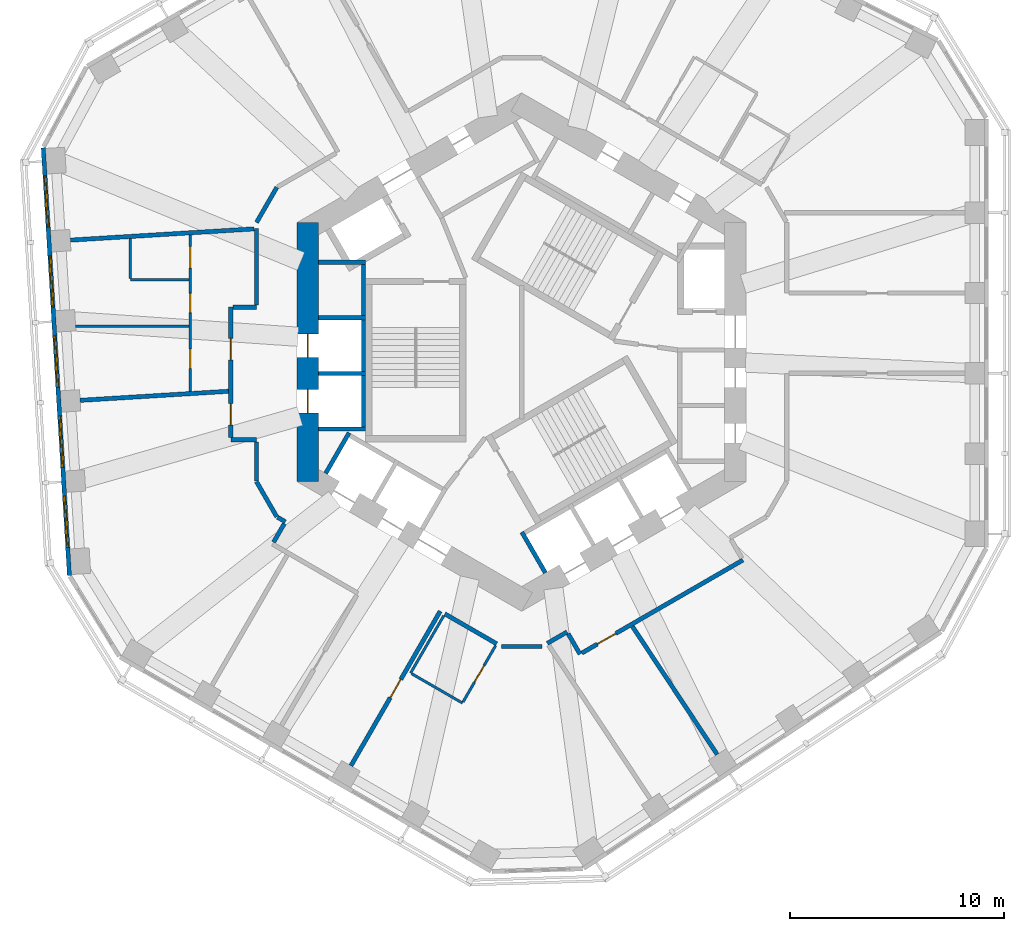
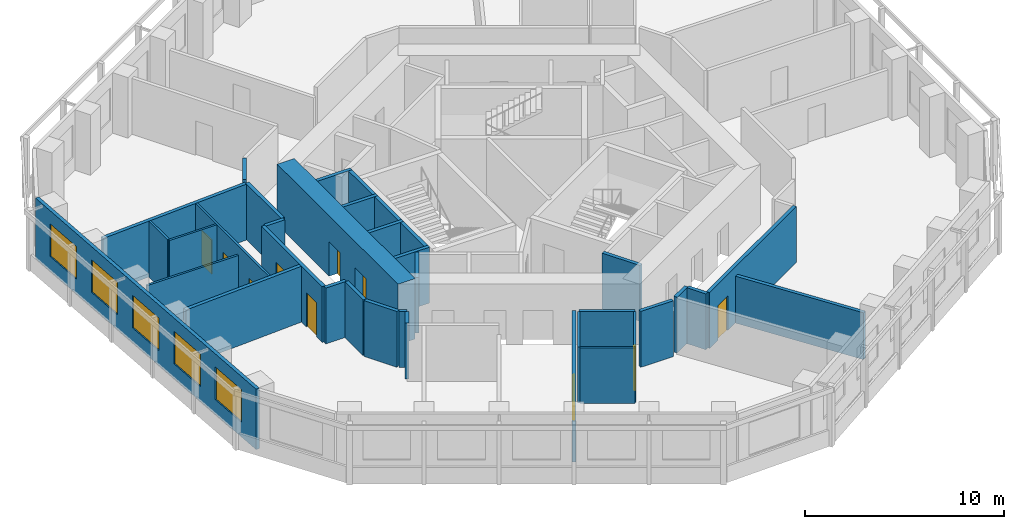
# One storey, part 4 of 10: 34 walls, 10 doors, 5 windows, 15 openings.
"""IFC4 building model written with IfcOpenShell, lengths in metres."""

from ifc_helpers import new_model, si_unit, direction, frame, frame_2d, origin, place, context, subcontext, project, spatial, rectangle, extrude, material, layer, layer_set, type_object, element, fill, save


model = new_model("IFC4")

# Units and contexts
model_context = context("Model", 3, precision=1e-05, world=origin(), true_north=direction((0.0, 1.0)))
body_context = subcontext(model_context, "Body", "Model", "MODEL_VIEW")
ifc_project = project(units=[si_unit("LENGTHUNIT", "METRE"), si_unit("AREAUNIT", "SQUARE_METRE"), si_unit("VOLUMEUNIT", "CUBIC_METRE"), si_unit("PLANEANGLEUNIT", "RADIAN"), si_unit("MASSUNIT", "GRAM", prefix="KILO")], contexts=[model_context])

# Site, building, storey
site_placement = place(None, origin())
site = spatial("IfcSite", under=ifc_project, at=site_placement, CompositionType="ELEMENT")
building_placement = place(site_placement, origin())
building = spatial("IfcBuilding", under=site, at=building_placement, Name="Vanh Sen Convention Tower", CompositionType="ELEMENT")
storey_placement = place(building_placement, frame((0.0, 0.0, 157.699951171875)))
storey = spatial("IfcBuildingStorey", under=building, at=storey_placement, Name="L38", CompositionType="ELEMENT", Elevation=157.699951171875)

# Walls
ifc_material_1 = material(Name="Moisture-resistant gypsum board on steel studs", Category="steel")
ifc_layer_1 = layer(ifc_material_1, 0.1201171875)
ifc_layer_set_1 = layer_set([ifc_layer_1], Name="Moisture-resistant gypsum board on steel studs")
wall_type_1 = type_object("IfcWallType", Name="Bathroom partition 120", PredefinedType="PARTITIONING", material=ifc_layer_set_1)
wall_1_placement = place(storey_placement, frame((-20.86279296875, 1.208251953125, 0.0), z_axis=(0.0, 0.0, 1.0), x_axis=(1.0, 0.0, 0.0)))
element("IfcWall", 1, at=wall_1_placement, inside=storey, type_object=wall_type_1, Name="Bathroom partition 120", PredefinedType="PARTITIONING", context=body_context, shape_type="SweptSolid", body=[
    extrude(rectangle(XDim=5.3017578125, YDim=0.1201171875, at=frame_2d((2.65087890625, 0.0))), origin(), (0.0, 0.0, 1.0), 2.8701171875),
])
wall_2_placement = place(storey_placement, frame((-18.301025390625, 3.379638671875, 0.0), z_axis=(0.0, 0.0, 1.0), x_axis=(1.0, 0.0, 0.0)))
element("IfcWall", 2, at=wall_2_placement, inside=storey, type_object=wall_type_1, Name="Bathroom partition 120", PredefinedType="PARTITIONING", context=body_context, shape_type="SweptSolid", body=[
    extrude(rectangle(XDim=2.739990234375, YDim=0.1201171875, at=frame_2d((1.3701171875, 0.0))), origin(), (0.0, 0.0, 1.0), 3.420166015625),
])
wall_3_placement = place(storey_placement, frame((-18.301025390625, 5.308349609375, 0.0), z_axis=(0.0, 0.0, 1.0), x_axis=(0.0, -1.0, 0.0)))
element("IfcWall", 3, at=wall_3_placement, inside=storey, type_object=wall_type_1, Name="Bathroom partition 120", PredefinedType="PARTITIONING", context=body_context, shape_type="SweptSolid", body=[
    extrude(rectangle(XDim=1.86865234375, YDim=0.1201171875, at=frame_2d((0.934326171875, 0.0))), origin(), (0.0, 0.0, 1.0), 3.420166015625),
])

# Wall, openings, doors
wall_4_placement = place(storey_placement, frame((-15.5009765625, 5.4794921875, 0.0), z_axis=(0.0, 0.0, 1.0), x_axis=(0.0, -1.0, 0.0)))
wall_4 = element("IfcWall", 4, at=wall_4_placement, inside=storey, type_object=wall_type_1, Name="Bathroom partition 120", PredefinedType="PARTITIONING", context=body_context, shape_type="SweptSolid", body=[
    extrude(rectangle(XDim=7.322265625, YDim=0.1201171875, at=frame_2d((3.6611328125, 0.0))), origin(), (0.0, 0.0, 1.0), 3.420166015625),
])
opening_1_placement = place(wall_4_placement, frame((0.550048828125, 0.0, 0.0)))
opening_1 = element("IfcOpeningElement", 5, at=opening_1_placement, cuts=wall_4, Name="Opening D38108", PredefinedType="OPENING", context=body_context, shape_type="SweptSolid", body=[
    extrude(rectangle(XDim=1.0, YDim=2.10009765625, at=frame_2d((0.5, 1.050048828125))), frame((0.0, 0.070068359375, 0.0), z_axis=(0.0, -1.0, 0.0), x_axis=(1.0, 0.0, 0.0)), (0.0, 0.0, 1.0), 0.14013671875),
])
opening_2_placement = place(wall_4_placement, frame((2.735595703125, 0.0, 0.0)))
opening_2 = element("IfcOpeningElement", 6, at=opening_2_placement, cuts=wall_4, Name="Opening D38109", PredefinedType="OPENING", context=body_context, shape_type="SweptSolid", body=[
    extrude(rectangle(XDim=0.89990234375, YDim=2.10009765625, at=frame_2d((0.449951171875, 1.050048828125))), frame((0.0, 0.070068359375, 0.0), z_axis=(0.0, -1.0, 0.0), x_axis=(1.0, 0.0, 0.0)), (0.0, 0.0, 1.0), 0.14013671875),
])
opening_3_placement = place(wall_4_placement, frame((5.3466796875, 0.0, 0.0)))
opening_3 = element("IfcOpeningElement", 7, at=opening_3_placement, cuts=wall_4, Name="Opening D38110", PredefinedType="OPENING", context=body_context, shape_type="SweptSolid", body=[
    extrude(rectangle(XDim=0.89990234375, YDim=2.10009765625, at=frame_2d((0.449951171875, 1.050048828125))), frame((0.0, 0.070068359375, 0.0), z_axis=(0.0, -1.0, 0.0), x_axis=(1.0, 0.0, 0.0)), (0.0, 0.0, 1.0), 0.14013671875),
])
ifc_material_2 = material(Name="Laminate door in steel frame", Category="steel")
door_type_1 = type_object("IfcDoorType", Name="Accessible WC door 1000", OperationType="SINGLE_SWING_LEFT", PredefinedType="DOOR", material=ifc_material_2)
door_1_placement = place(opening_1_placement, origin())
door_1 = element("IfcDoor", 8, at=door_1_placement, inside=storey, type_object=door_type_1, Name="Accessible WC door D38108", OperationType="SINGLE_SWING_LEFT", OverallHeight=2.10009765625, OverallWidth=1.0, PredefinedType="DOOR", context=body_context, shape_type="SweptSolid", body=[
    extrude(rectangle(XDim=1.0, YDim=2.10009765625, at=frame_2d((0.5, 1.050048828125))), frame((0.0, 0.02490234375, 0.0), z_axis=(0.0, -1.0, 0.0), x_axis=(1.0, 0.0, 0.0)), (0.0, 0.0, 1.0), 0.050048828125),
])
fill(opening_1, door_1)
door_type_2 = type_object("IfcDoorType", Name="Room internal door 900", OperationType="SINGLE_SWING_LEFT", PredefinedType="DOOR", material=ifc_material_2)
door_2_placement = place(opening_2_placement, origin())
door_2 = element("IfcDoor", 9, at=door_2_placement, inside=storey, type_object=door_type_2, Name="Internal room door D38109", OperationType="SINGLE_SWING_LEFT", OverallHeight=2.10009765625, OverallWidth=0.89990234375, PredefinedType="DOOR", context=body_context, shape_type="SweptSolid", body=[
    extrude(rectangle(XDim=0.89990234375, YDim=2.10009765625, at=frame_2d((0.449951171875, 1.050048828125))), frame((0.0, 0.02490234375, 0.0), z_axis=(0.0, -1.0, 0.0), x_axis=(1.0, 0.0, 0.0)), (0.0, 0.0, 1.0), 0.050048828125),
])
fill(opening_2, door_2)
door_3_placement = place(opening_3_placement, origin())
door_3 = element("IfcDoor", 10, at=door_3_placement, inside=storey, type_object=door_type_2, Name="Internal room door D38110", OperationType="SINGLE_SWING_LEFT", OverallHeight=2.10009765625, OverallWidth=0.89990234375, PredefinedType="DOOR", context=body_context, shape_type="SweptSolid", body=[
    extrude(rectangle(XDim=0.89990234375, YDim=2.10009765625, at=frame_2d((0.449951171875, 1.050048828125))), frame((0.0, 0.02490234375, 0.0), z_axis=(0.0, -1.0, 0.0), x_axis=(1.0, 0.0, 0.0)), (0.0, 0.0, 1.0), 0.050048828125),
])
fill(opening_3, door_3)

# Walls
wall_5_placement = place(storey_placement, frame((-5.192138671875, -15.015625, 0.0), z_axis=(0.0, 0.0, 1.0), x_axis=(0.500026960575, 0.86600983753, 0.0)))
element("IfcWall", 11, at=wall_5_placement, inside=storey, type_object=wall_type_1, Name="Bathroom partition 120", PredefinedType="PARTITIONING", context=body_context, shape_type="SweptSolid", body=[
    extrude(rectangle(XDim=3.099853515625, YDim=0.1201171875, at=frame_2d((1.5498046875, 0.0))), origin(), (0.0, 0.0, 1.0), 3.420166015625),
])
wall_6_placement = place(storey_placement, frame((-2.767333984375, -16.415771484375, 0.0), z_axis=(0.0, 0.0, 1.0), x_axis=(-0.865997131366, 0.500048966069, 0.0)))
element("IfcWall", 12, at=wall_6_placement, inside=storey, type_object=wall_type_1, Name="Bathroom partition 120", PredefinedType="PARTITIONING", context=body_context, shape_type="SweptSolid", body=[
    extrude(rectangle(XDim=2.739990234375, YDim=0.1201171875, at=frame_2d((1.3701171875, 0.0))), origin(), (0.0, 0.0, 1.0), 3.420166015625),
])

# Wall, opening, door
wall_7_placement = place(storey_placement, frame((-1.21728515625, -13.73095703125, 0.0), z_axis=(0.0, 0.0, 1.0), x_axis=(-0.499991248344, -0.866030456496, 0.0)))
wall_7 = element("IfcWall", 13, at=wall_7_placement, inside=storey, type_object=wall_type_1, Name="Bathroom partition 120", PredefinedType="PARTITIONING", context=body_context, shape_type="SweptSolid", body=[
    extrude(rectangle(XDim=3.0400390625, YDim=0.1201171875, at=frame_2d((1.52001953125, 0.0))), origin(), (0.0, 0.0, 1.0), 3.420166015625),
])
opening_4_placement = place(wall_7_placement, frame((1.070068359375, 0.0, 0.0)))
opening_4 = element("IfcOpeningElement", 14, at=opening_4_placement, cuts=wall_7, Name="Opening D38114", PredefinedType="OPENING", context=body_context, shape_type="SweptSolid", body=[
    extrude(rectangle(XDim=0.89990234375, YDim=2.10009765625, at=frame_2d((0.449951171875, 1.050048828125))), frame((0.0, 0.070068359375, 0.0), z_axis=(0.0, -1.0, 0.0), x_axis=(1.0, 0.0, 0.0)), (0.0, 0.0, 1.0), 0.14013671875),
])
door_4_placement = place(opening_4_placement, origin())
door_4 = element("IfcDoor", 15, at=door_4_placement, inside=storey, type_object=door_type_2, Name="Internal room door D38114", OperationType="SINGLE_SWING_LEFT", OverallHeight=2.10009765625, OverallWidth=0.89990234375, PredefinedType="DOOR", context=body_context, shape_type="SweptSolid", body=[
    extrude(rectangle(XDim=0.89990234375, YDim=2.10009765625, at=frame_2d((0.449951171875, 1.050048828125))), frame((0.0, 0.02490234375, 0.0), z_axis=(0.0, -1.0, 0.0), x_axis=(1.0, 0.0, 0.0)), (0.0, 0.0, 1.0), 0.050048828125),
])
fill(opening_4, door_4)

# Wall, openings, doors
ifc_material_3 = material(Name="Concrete C80/95", Category="concrete")
ifc_layer_2 = layer(ifc_material_3, 1.0)
ifc_layer_set_2 = layer_set([ifc_layer_2], Name="Concrete C80/95")
wall_type_2 = type_object("IfcWallType", Name="Core outer wall 1000 C80/95", PredefinedType="SHEAR", material=ifc_layer_set_2)
wall_8_placement = place(storey_placement, frame((-10.0, 6.062255859375, 0.0), z_axis=(0.0, 0.0, 1.0), x_axis=(0.0, -1.0, 0.0)))
wall_8 = element("IfcWall", 16, at=wall_8_placement, inside=storey, type_object=wall_type_2, Name="Core wall face W L38", PredefinedType="SHEAR", context=body_context, shape_type="SweptSolid", body=[
    extrude(rectangle(XDim=12.12451171875, YDim=1.0, at=frame_2d((6.062255859375, 0.0))), origin(), (0.0, 0.0, 1.0), 3.699951171875),
])
opening_5_placement = place(wall_8_placement, frame((5.212158203125, 0.0, 0.0)))
opening_5 = element("IfcOpeningElement", 17, at=opening_5_placement, cuts=wall_8, Name="Opening LD-HR1", PredefinedType="OPENING", context=body_context, shape_type="SweptSolid", body=[
    extrude(rectangle(XDim=1.10009765625, YDim=2.10009765625, at=frame_2d((0.550048828125, 1.050048828125))), frame((0.0, 0.510009765625, 0.0), z_axis=(0.0, -1.0, 0.0), x_axis=(1.0, 0.0, 0.0)), (0.0, 0.0, 1.0), 1.02001953125),
])
opening_6_placement = place(wall_8_placement, frame((7.812255859375, 0.0, 0.0)))
opening_6 = element("IfcOpeningElement", 18, at=opening_6_placement, cuts=wall_8, Name="Opening LD-HR2", PredefinedType="OPENING", context=body_context, shape_type="SweptSolid", body=[
    extrude(rectangle(XDim=1.10009765625, YDim=2.10009765625, at=frame_2d((0.550048828125, 1.050048828125))), frame((0.0, 0.510009765625, 0.0), z_axis=(0.0, -1.0, 0.0), x_axis=(1.0, 0.0, 0.0)), (0.0, 0.0, 1.0), 1.02001953125),
])
ifc_material_4 = material(Name="Stainless steel", Category="steel")
door_type_3 = type_object("IfcDoorType", Name="Lift landing door 1100", OperationType="DOUBLE_DOOR_SLIDING", PredefinedType="DOOR", material=ifc_material_4)
door_5_placement = place(opening_5_placement, origin())
door_5 = element("IfcDoor", 19, at=door_5_placement, inside=storey, type_object=door_type_3, Name="Lift HR1 landing door LD-HR1", OperationType="DOUBLE_DOOR_SLIDING", OverallHeight=2.10009765625, OverallWidth=1.10009765625, PredefinedType="DOOR", context=body_context, shape_type="SweptSolid", body=[
    extrude(rectangle(XDim=1.10009765625, YDim=2.10009765625, at=frame_2d((0.550048828125, 1.050048828125))), frame((0.0, 0.02490234375, 0.0), z_axis=(0.0, -1.0, 0.0), x_axis=(1.0, 0.0, 0.0)), (0.0, 0.0, 1.0), 0.050048828125),
])
fill(opening_5, door_5)
door_6_placement = place(opening_6_placement, origin())
door_6 = element("IfcDoor", 20, at=door_6_placement, inside=storey, type_object=door_type_3, Name="Lift HR2 landing door LD-HR2", OperationType="DOUBLE_DOOR_SLIDING", OverallHeight=2.10009765625, OverallWidth=1.10009765625, PredefinedType="DOOR", context=body_context, shape_type="SweptSolid", body=[
    extrude(rectangle(XDim=1.10009765625, YDim=2.10009765625, at=frame_2d((0.550048828125, 1.050048828125))), frame((0.0, 0.02490234375, 0.0), z_axis=(0.0, -1.0, 0.0), x_axis=(1.0, 0.0, 0.0)), (0.0, 0.0, 1.0), 0.050048828125),
])
fill(opening_6, door_6)

# Wall
ifc_material_5 = material(Name="Gypsum board on steel studs with mineral wool", Category="steel")
ifc_layer_3 = layer(ifc_material_5, 0.199951171875)
ifc_layer_set_3 = layer_set([ifc_layer_3], Name="Gypsum board on steel studs with mineral wool")
wall_type_3 = type_object("IfcWallType", Name="Corridor partition wall 200", PredefinedType="PARTITIONING", material=ifc_layer_set_3)
wall_9_placement = place(storey_placement, frame((-13.60107421875, -4.10107421875, 0.0), z_axis=(0.0, 0.0, 1.0), x_axis=(1.0, 0.0, 0.0)))
element("IfcWall", 21, at=wall_9_placement, inside=storey, type_object=wall_type_3, Name="Corridor partition wall 200", PredefinedType="PARTITIONING", context=body_context, shape_type="SweptSolid", body=[
    extrude(rectangle(XDim=1.201171875, YDim=0.199951171875, at=frame_2d((0.6005859375, 0.0))), origin(), (0.0, 0.0, 1.0), 3.420166015625),
])

# Wall, openings, doors
wall_10_placement = place(storey_placement, frame((-13.60107421875, 2.10107421875, 0.0), z_axis=(0.0, 0.0, 1.0), x_axis=(0.0, -1.0, 0.0)))
wall_10 = element("IfcWall", 22, at=wall_10_placement, inside=storey, type_object=wall_type_3, Name="Corridor partition wall 200", PredefinedType="PARTITIONING", context=body_context, shape_type="SweptSolid", body=[
    extrude(rectangle(XDim=6.10205078125, YDim=0.199951171875, at=frame_2d((3.051025390625, 0.0))), origin(), (0.0, 0.0, 1.0), 3.420166015625),
])
opening_7_placement = place(wall_10_placement, frame((1.4638671875, 0.0, 0.0)))
opening_7 = element("IfcOpeningElement", 23, at=opening_7_placement, cuts=wall_10, Name="Opening D38107", PredefinedType="OPENING", context=body_context, shape_type="SweptSolid", body=[
    extrude(rectangle(XDim=1.0, YDim=2.10009765625, at=frame_2d((0.5, 1.050048828125))), frame((0.0, 0.10986328125, 0.0), z_axis=(0.0, -1.0, 0.0), x_axis=(1.0, 0.0, 0.0)), (0.0, 0.0, 1.0), 0.219970703125),
])
opening_8_placement = place(wall_10_placement, frame((4.514892578125, 0.0, 0.0)))
opening_8 = element("IfcOpeningElement", 24, at=opening_8_placement, cuts=wall_10, Name="Opening D38111", PredefinedType="OPENING", context=body_context, shape_type="SweptSolid", body=[
    extrude(rectangle(XDim=1.0, YDim=2.10009765625, at=frame_2d((0.5, 1.050048828125))), frame((0.0, 0.10986328125, 0.0), z_axis=(0.0, -1.0, 0.0), x_axis=(1.0, 0.0, 0.0)), (0.0, 0.0, 1.0), 0.219970703125),
])
ifc_material_6 = material(Name="Timber fire door in steel frame", Category="steel")
door_type_4 = type_object("IfcDoorType", Name="Floor room door 1000", OperationType="SINGLE_SWING_LEFT", PredefinedType="DOOR", material=ifc_material_6)
door_7_placement = place(opening_7_placement, origin())
door_7 = element("IfcDoor", 25, at=door_7_placement, inside=storey, type_object=door_type_4, Name="Meeting and amenity room door D38107", OperationType="SINGLE_SWING_LEFT", OverallHeight=2.10009765625, OverallWidth=1.0, PredefinedType="DOOR", context=body_context, shape_type="SweptSolid", body=[
    extrude(rectangle(XDim=1.0, YDim=2.10009765625, at=frame_2d((0.5, 1.050048828125))), frame((0.0, 0.02490234375, 0.0), z_axis=(0.0, -1.0, 0.0), x_axis=(1.0, 0.0, 0.0)), (0.0, 0.0, 1.0), 0.050048828125),
])
fill(opening_7, door_7)
ifc_material_7 = material(Name="Glazed fire door in steel frame", Category="steel")
door_type_5 = type_object("IfcDoorType", Name="Tenant entrance door 1000", OperationType="SINGLE_SWING_LEFT", PredefinedType="DOOR", material=ifc_material_7)
door_8_placement = place(opening_8_placement, origin())
door_8 = element("IfcDoor", 26, at=door_8_placement, inside=storey, type_object=door_type_5, Name="Tenant suite entrance door D38111", OperationType="SINGLE_SWING_LEFT", OverallHeight=2.10009765625, OverallWidth=1.0, PredefinedType="DOOR", context=body_context, shape_type="SweptSolid", body=[
    extrude(rectangle(XDim=1.0, YDim=2.10009765625, at=frame_2d((0.5, 1.050048828125))), frame((0.0, 0.02490234375, 0.0), z_axis=(0.0, -1.0, 0.0), x_axis=(1.0, 0.0, 0.0)), (0.0, 0.0, 1.0), 0.050048828125),
])
fill(opening_8, door_8)

# Walls
wall_11_placement = place(storey_placement, frame((-12.39990234375, -6.062255859375, 0.0), z_axis=(0.0, 0.0, 1.0), x_axis=(0.500022797313, -0.86601224135, 0.0)))
element("IfcWall", 27, at=wall_11_placement, inside=storey, type_object=wall_type_3, Name="Corridor partition wall 200", PredefinedType="PARTITIONING", context=body_context, shape_type="SweptSolid", body=[
    extrude(rectangle(XDim=1.89990234375, YDim=0.199951171875, at=frame_2d((0.949951171875, 0.0))), origin(), (0.0, 0.0, 1.0), 3.420166015625),
])
wall_12_placement = place(storey_placement, frame((-12.39990234375, -4.200927734375, 0.0), z_axis=(0.0, 0.0, 1.0), x_axis=(0.0, -1.0, 0.0)))
element("IfcWall", 28, at=wall_12_placement, inside=storey, type_object=wall_type_3, Name="Corridor partition wall 200", PredefinedType="PARTITIONING", context=body_context, shape_type="SweptSolid", body=[
    extrude(rectangle(XDim=1.8212890625, YDim=0.199951171875, at=frame_2d((0.91064453125, 0.0))), origin(), (0.0, 0.0, 1.0), 3.420166015625),
])
wall_13_placement = place(storey_placement, frame((-12.39990234375, 2.10107421875, 0.0), z_axis=(0.0, 0.0, 1.0), x_axis=(-1.0, 0.0, 0.0)))
element("IfcWall", 29, at=wall_13_placement, inside=storey, type_object=wall_type_3, Name="Corridor partition wall 200", PredefinedType="PARTITIONING", context=body_context, shape_type="SweptSolid", body=[
    extrude(rectangle(XDim=1.10107421875, YDim=0.199951171875, at=frame_2d((0.550537109375, 0.0))), origin(), (0.0, 0.0, 1.0), 3.420166015625),
])
wall_14_placement = place(storey_placement, frame((-12.39990234375, 5.769287109375, 0.0), z_axis=(0.0, 0.0, 1.0), x_axis=(0.0, -1.0, 0.0)))
element("IfcWall", 30, at=wall_14_placement, inside=storey, type_object=wall_type_3, Name="Corridor partition wall 200", PredefinedType="PARTITIONING", context=body_context, shape_type="SweptSolid", body=[
    extrude(rectangle(XDim=3.568359375, YDim=0.199951171875, at=frame_2d((1.7841796875, 0.0))), origin(), (0.0, 0.0, 1.0), 3.420166015625),
])
wall_15_placement = place(storey_placement, frame((-11.449951171875, 7.70751953125, 0.0), z_axis=(0.0, 0.0, 1.0), x_axis=(-0.500022797313, -0.86601224135, 0.0)))
element("IfcWall", 31, at=wall_15_placement, inside=storey, type_object=wall_type_3, Name="Corridor partition wall 200", PredefinedType="PARTITIONING", context=body_context, shape_type="SweptSolid", body=[
    extrude(rectangle(XDim=1.89990234375, YDim=0.199951171875, at=frame_2d((0.949951171875, 0.0))), origin(), (0.0, 0.0, 1.0), 3.420166015625),
])
wall_16_placement = place(storey_placement, frame((-11.415283203125, -7.7275390625, 0.0), z_axis=(0.0, 0.0, 1.0), x_axis=(0.865915281873, -0.500190688257, 0.0)))
element("IfcWall", 32, at=wall_16_placement, inside=storey, type_object=wall_type_3, Name="Corridor partition wall 200", PredefinedType="PARTITIONING", context=body_context, shape_type="SweptSolid", body=[
    extrude(rectangle(XDim=0.421142578125, YDim=0.199951171875, at=frame_2d((0.21044921875, 0.0))), origin(), (0.0, 0.0, 1.0), 3.420166015625),
])
wall_17_placement = place(storey_placement, frame((-11.1005859375, -8.02490234375, 0.0), z_axis=(0.0, 0.0, 1.0), x_axis=(-0.500074377092, -0.865982457891, 0.0)))
element("IfcWall", 33, at=wall_17_placement, inside=storey, type_object=wall_type_3, Name="Corridor partition wall 200", PredefinedType="PARTITIONING", context=body_context, shape_type="SweptSolid", body=[
    extrude(rectangle(XDim=1.000732421875, YDim=0.199951171875, at=frame_2d((0.50048828125, 0.0))), origin(), (0.0, 0.0, 1.0), 3.420166015625),
])

# Wall, opening, door
wall_18_placement = place(storey_placement, frame((-7.983642578125, -19.3505859375, 0.0), z_axis=(0.0, 0.0, 1.0), x_axis=(0.500010139422, 0.866019549707, 0.0)))
wall_18 = element("IfcWall", 34, at=wall_18_placement, inside=storey, type_object=wall_type_3, Name="Corridor partition wall 200", PredefinedType="PARTITIONING", context=body_context, shape_type="SweptSolid", body=[
    extrude(rectangle(XDim=8.349853515625, YDim=0.199951171875, at=frame_2d((4.1748046875, 0.0))), origin(), (0.0, 0.0, 1.0), 3.420166015625),
])
opening_9_placement = place(wall_18_placement, frame((3.675048828125, 0.0, 0.0)))
opening_9 = element("IfcOpeningElement", 35, at=opening_9_placement, cuts=wall_18, Name="Opening D38113", PredefinedType="OPENING", context=body_context, shape_type="SweptSolid", body=[
    extrude(rectangle(XDim=1.0, YDim=2.10009765625, at=frame_2d((0.5, 1.050048828125))), frame((0.0, 0.10986328125, 0.0), z_axis=(0.0, -1.0, 0.0), x_axis=(1.0, 0.0, 0.0)), (0.0, 0.0, 1.0), 0.219970703125),
])
door_9_placement = place(opening_9_placement, origin())
door_9 = element("IfcDoor", 36, at=door_9_placement, inside=storey, type_object=door_type_5, Name="Tenant suite entrance door D38113", OperationType="SINGLE_SWING_LEFT", OverallHeight=2.10009765625, OverallWidth=1.0, PredefinedType="DOOR", context=body_context, shape_type="SweptSolid", body=[
    extrude(rectangle(XDim=1.0, YDim=2.10009765625, at=frame_2d((0.5, 1.050048828125))), frame((0.0, 0.02490234375, 0.0), z_axis=(0.0, -1.0, 0.0), x_axis=(1.0, 0.0, 0.0)), (0.0, 0.0, 1.0), 0.050048828125),
])
fill(opening_9, door_9)

# Walls
wall_19_placement = place(storey_placement, frame((-3.592041015625, -12.244384765625, 0.0), z_axis=(0.0, 0.0, 1.0), x_axis=(0.866034573852, -0.49998411664, 0.0)))
element("IfcWall", 37, at=wall_19_placement, inside=storey, type_object=wall_type_3, Name="Corridor partition wall 200", PredefinedType="PARTITIONING", context=body_context, shape_type="SweptSolid", body=[
    extrude(rectangle(XDim=2.7998046875, YDim=0.199951171875, at=frame_2d((1.39990234375, 0.0))), origin(), (0.0, 0.0, 1.0), 3.420166015625),
])
wall_20_placement = place(storey_placement, frame((-0.949951171875, -13.769775390625, 0.0), z_axis=(0.0, 0.0, 1.0), x_axis=(1.0, 0.0, 0.0)))
element("IfcWall", 38, at=wall_20_placement, inside=storey, type_object=wall_type_3, Name="Corridor partition wall 200", PredefinedType="PARTITIONING", context=body_context, shape_type="SweptSolid", body=[
    extrude(rectangle(XDim=1.89990234375, YDim=0.199951171875, at=frame_2d((0.949951171875, 0.0))), origin(), (0.0, 0.0, 1.0), 3.420166015625),
])
wall_21_placement = place(storey_placement, frame((1.20361328125, -13.623291015625, 0.0), z_axis=(0.0, 0.0, 1.0), x_axis=(0.866040989419, 0.499973003918, 0.0)))
element("IfcWall", 39, at=wall_21_placement, inside=storey, type_object=wall_type_3, Name="Corridor partition wall 200", PredefinedType="PARTITIONING", context=body_context, shape_type="SweptSolid", body=[
    extrude(rectangle(XDim=1.068359375, YDim=0.199951171875, at=frame_2d((0.5341796875, 0.0))), origin(), (0.0, 0.0, 1.0), 3.420166015625),
])
wall_22_placement = place(storey_placement, frame((2.1787109375, -13.17578125, 0.0), z_axis=(0.0, 0.0, 1.0), x_axis=(0.499978356969, -0.866037899034, 0.0)))
element("IfcWall", 40, at=wall_22_placement, inside=storey, type_object=wall_type_3, Name="Corridor partition wall 200", PredefinedType="PARTITIONING", context=body_context, shape_type="SweptSolid", body=[
    extrude(rectangle(XDim=1.10107421875, YDim=0.199951171875, at=frame_2d((0.550537109375, 0.0))), origin(), (0.0, 0.0, 1.0), 3.420166015625),
])

# Wall, opening, door
wall_23_placement = place(storey_placement, frame((2.81591796875, -14.079345703125, 0.0), z_axis=(0.0, 0.0, 1.0), x_axis=(0.866021128829, 0.500007404367, 0.0)))
wall_23 = element("IfcWall", 41, at=wall_23_placement, inside=storey, type_object=wall_type_3, Name="Corridor partition wall 200", PredefinedType="PARTITIONING", context=body_context, shape_type="SweptSolid", body=[
    extrude(rectangle(XDim=8.701904296875, YDim=0.199951171875, at=frame_2d((4.35107421875, 0.0))), origin(), (0.0, 0.0, 1.0), 3.420166015625),
])
opening_10_placement = place(wall_23_placement, frame((0.833251953125, 0.0, 0.0)))
opening_10 = element("IfcOpeningElement", 42, at=opening_10_placement, cuts=wall_23, Name="Opening D38115", PredefinedType="OPENING", context=body_context, shape_type="SweptSolid", body=[
    extrude(rectangle(XDim=1.0, YDim=2.10009765625, at=frame_2d((0.5, 1.050048828125))), frame((0.0, 0.10986328125, 0.0), z_axis=(0.0, -1.0, 0.0), x_axis=(1.0, 0.0, 0.0)), (0.0, 0.0, 1.0), 0.219970703125),
])
door_10_placement = place(opening_10_placement, origin())
door_10 = element("IfcDoor", 43, at=door_10_placement, inside=storey, type_object=door_type_5, Name="Tenant suite entrance door D38115", OperationType="SINGLE_SWING_LEFT", OverallHeight=2.10009765625, OverallWidth=1.0, PredefinedType="DOOR", context=body_context, shape_type="SweptSolid", body=[
    extrude(rectangle(XDim=1.0, YDim=2.10009765625, at=frame_2d((0.5, 1.050048828125))), frame((0.0, 0.02490234375, 0.0), z_axis=(0.0, -1.0, 0.0), x_axis=(1.0, 0.0, 0.0)), (0.0, 0.0, 1.0), 0.050048828125),
])
fill(opening_10, door_10)

# Wall, openings, windows
ifc_material_8 = material(Name="Insulated lightweight infill wall")
ifc_layer_4 = layer(ifc_material_8, 0.199951171875)
ifc_layer_set_4 = layer_set([ifc_layer_4], Name="Insulated lightweight infill wall")
wall_type_4 = type_object("IfcWallType", Name="External wall 200", PredefinedType="STANDARD", material=ifc_layer_set_4)
wall_24_placement = place(storey_placement, frame((-22.375, 9.55712890625, 0.0), z_axis=(0.0, 0.0, 1.0), x_axis=(0.061036015339, -0.998135564356, 0.0)))
wall_24 = element("IfcWall", 44, at=wall_24_placement, inside=storey, type_object=wall_type_4, Name="External wall W L38", PredefinedType="STANDARD", context=body_context, shape_type="SweptSolid", body=[
    extrude(rectangle(XDim=20.043701171875, YDim=0.199951171875, at=frame_2d((10.02197265625, 0.0))), origin(), (0.0, 0.0, 1.0), 3.699951171875),
])
opening_11_placement = place(wall_24_placement, frame((1.312744140625, 0.0, 0.89990234375)))
opening_11 = element("IfcOpeningElement", 45, at=opening_11_placement, cuts=wall_24, Name="Opening WO1-W1", PredefinedType="OPENING", context=body_context, shape_type="SweptSolid", body=[
    extrude(rectangle(XDim=2.39990234375, YDim=2.0, at=frame_2d((1.199951171875, 1.0))), frame((0.0, 0.10986328125, 0.0), z_axis=(0.0, -1.0, 0.0), x_axis=(1.0, 0.0, 0.0)), (0.0, 0.0, 1.0), 0.219970703125),
])
opening_12_placement = place(wall_24_placement, frame((5.06689453125, 0.0, 0.89990234375)))
opening_12 = element("IfcOpeningElement", 46, at=opening_12_placement, cuts=wall_24, Name="Opening WO1-W2", PredefinedType="OPENING", context=body_context, shape_type="SweptSolid", body=[
    extrude(rectangle(XDim=2.39990234375, YDim=2.0, at=frame_2d((1.199951171875, 1.0))), frame((0.0, 0.10986328125, 0.0), z_axis=(0.0, -1.0, 0.0), x_axis=(1.0, 0.0, 0.0)), (0.0, 0.0, 1.0), 0.219970703125),
])
opening_13_placement = place(wall_24_placement, frame((8.821044921875, 0.0, 0.89990234375)))
opening_13 = element("IfcOpeningElement", 47, at=opening_13_placement, cuts=wall_24, Name="Opening WO1-W3", PredefinedType="OPENING", context=body_context, shape_type="SweptSolid", body=[
    extrude(rectangle(XDim=2.39990234375, YDim=2.0, at=frame_2d((1.199951171875, 1.0))), frame((0.0, 0.10986328125, 0.0), z_axis=(0.0, -1.0, 0.0), x_axis=(1.0, 0.0, 0.0)), (0.0, 0.0, 1.0), 0.219970703125),
])
opening_14_placement = place(wall_24_placement, frame((12.5751953125, 0.0, 0.89990234375)))
opening_14 = element("IfcOpeningElement", 48, at=opening_14_placement, cuts=wall_24, Name="Opening WO1-W4", PredefinedType="OPENING", context=body_context, shape_type="SweptSolid", body=[
    extrude(rectangle(XDim=2.39990234375, YDim=2.0, at=frame_2d((1.199951171875, 1.0))), frame((0.0, 0.10986328125, 0.0), z_axis=(0.0, -1.0, 0.0), x_axis=(1.0, 0.0, 0.0)), (0.0, 0.0, 1.0), 0.219970703125),
])
opening_15_placement = place(wall_24_placement, frame((16.329345703125, 0.0, 0.89990234375)))
opening_15 = element("IfcOpeningElement", 49, at=opening_15_placement, cuts=wall_24, Name="Opening WO1-W5", PredefinedType="OPENING", context=body_context, shape_type="SweptSolid", body=[
    extrude(rectangle(XDim=2.39990234375, YDim=2.0, at=frame_2d((1.199951171875, 1.0))), frame((0.0, 0.10986328125, 0.0), z_axis=(0.0, -1.0, 0.0), x_axis=(1.0, 0.0, 0.0)), (0.0, 0.0, 1.0), 0.219970703125),
])
ifc_material_9 = material(Name="Aluminium frame with clear low-emissivity glass", Category="aluminium")
window_type = type_object("IfcWindowType", Name="Office window 2400 x 2000", PartitioningType="SINGLE_PANEL", PredefinedType="WINDOW", material=ifc_material_9)
window_1_placement = place(opening_11_placement, origin())
window_1 = element("IfcWindow", 50, at=window_1_placement, inside=storey, type_object=window_type, Name="Window WO1-W1", OverallHeight=2.0, OverallWidth=2.39990234375, PartitioningType="SINGLE_PANEL", PredefinedType="WINDOW", context=body_context, shape_type="SweptSolid", body=[
    extrude(rectangle(XDim=2.39990234375, YDim=2.0, at=frame_2d((1.199951171875, 1.0))), frame((0.0, 0.030029296875, 0.0), z_axis=(0.0, -1.0, 0.0), x_axis=(1.0, 0.0, 0.0)), (0.0, 0.0, 1.0), 0.06005859375),
])
fill(opening_11, window_1)
window_2_placement = place(opening_12_placement, origin())
window_2 = element("IfcWindow", 51, at=window_2_placement, inside=storey, type_object=window_type, Name="Window WO1-W2", OverallHeight=2.0, OverallWidth=2.39990234375, PartitioningType="SINGLE_PANEL", PredefinedType="WINDOW", context=body_context, shape_type="SweptSolid", body=[
    extrude(rectangle(XDim=2.39990234375, YDim=2.0, at=frame_2d((1.199951171875, 1.0))), frame((0.0, 0.030029296875, 0.0), z_axis=(0.0, -1.0, 0.0), x_axis=(1.0, 0.0, 0.0)), (0.0, 0.0, 1.0), 0.06005859375),
])
fill(opening_12, window_2)
window_3_placement = place(opening_13_placement, origin())
window_3 = element("IfcWindow", 52, at=window_3_placement, inside=storey, type_object=window_type, Name="Window WO1-W3", OverallHeight=2.0, OverallWidth=2.39990234375, PartitioningType="SINGLE_PANEL", PredefinedType="WINDOW", context=body_context, shape_type="SweptSolid", body=[
    extrude(rectangle(XDim=2.39990234375, YDim=2.0, at=frame_2d((1.199951171875, 1.0))), frame((0.0, 0.030029296875, 0.0), z_axis=(0.0, -1.0, 0.0), x_axis=(1.0, 0.0, 0.0)), (0.0, 0.0, 1.0), 0.06005859375),
])
fill(opening_13, window_3)
window_4_placement = place(opening_14_placement, origin())
window_4 = element("IfcWindow", 53, at=window_4_placement, inside=storey, type_object=window_type, Name="Window WO1-W4", OverallHeight=2.0, OverallWidth=2.39990234375, PartitioningType="SINGLE_PANEL", PredefinedType="WINDOW", context=body_context, shape_type="SweptSolid", body=[
    extrude(rectangle(XDim=2.39990234375, YDim=2.0, at=frame_2d((1.199951171875, 1.0))), frame((0.0, 0.030029296875, 0.0), z_axis=(0.0, -1.0, 0.0), x_axis=(1.0, 0.0, 0.0)), (0.0, 0.0, 1.0), 0.06005859375),
])
fill(opening_14, window_4)
window_5_placement = place(opening_15_placement, origin())
window_5 = element("IfcWindow", 54, at=window_5_placement, inside=storey, type_object=window_type, Name="Window WO1-W5", OverallHeight=2.0, OverallWidth=2.39990234375, PartitioningType="SINGLE_PANEL", PredefinedType="WINDOW", context=body_context, shape_type="SweptSolid", body=[
    extrude(rectangle(XDim=2.39990234375, YDim=2.0, at=frame_2d((1.199951171875, 1.0))), frame((0.0, 0.030029296875, 0.0), z_axis=(0.0, -1.0, 0.0), x_axis=(1.0, 0.0, 0.0)), (0.0, 0.0, 1.0), 0.06005859375),
])
fill(opening_15, window_5)

# Walls
ifc_material_10 = material(Name="Concrete C40/50", Category="concrete")
ifc_layer_5 = layer(ifc_material_10, 0.199951171875)
ifc_layer_set_5 = layer_set([ifc_layer_5], Name="Concrete C40/50")
wall_type_5 = type_object("IfcWallType", Name="Lift shaft wall 200", PredefinedType="PARTITIONING", material=ifc_layer_set_5)
wall_25_placement = place(storey_placement, frame((-7.39990234375, 4.300048828125, 0.0), z_axis=(0.0, 0.0, 1.0), x_axis=(0.0, -1.0, 0.0)))
element("IfcWall", 55, at=wall_25_placement, inside=storey, type_object=wall_type_5, Name="Lift shaft wall L38", PredefinedType="PARTITIONING", context=body_context, shape_type="SweptSolid", body=[
    extrude(rectangle(XDim=8.0, YDim=0.199951171875, at=frame_2d((4.0, 0.0))), origin(), (0.0, 0.0, 1.0), 3.420166015625),
])
for number, where, z_axis, x_axis, name in (
    (56, (-7.300048828125, 4.199951171875, 0.0), (0.0, 0.0, 1.0), (-1.0, 0.0, 0.0), "Lift shaft wall L38"),
    (57, (-7.300048828125, 1.60009765625, 0.0), (0.0, 0.0, 1.0), (-1.0, 0.0, 0.0), "Lift shaft wall L38"),
    (58, (-7.300048828125, -1.0, 0.0), (0.0, 0.0, 1.0), (-1.0, 0.0, 0.0), "Lift shaft wall L38"),
    (59, (-7.300048828125, -3.60009765625, 0.0), (0.0, 0.0, 1.0), (-1.0, 0.0, 0.0), "Lift shaft wall L38"),
    (60, (-8.066650390625, -3.77197265625, 0.0), (0.0, 0.0, 1.0), (-0.50002983664, -0.866008176907, 0.0), "Lift shaft wall L38"),
    (61, (0.0126953125, -8.422119140625, 0.0), (0.0, 0.0, 1.0), (0.500077893725, -0.86598042715, 0.0), "Lift shaft wall L38"),
):
    element("IfcWall", number, at=place(storey_placement, frame(where, z_axis=z_axis, x_axis=x_axis)), inside=storey, type_object=wall_type_5, Name=name, PredefinedType="PARTITIONING", context=body_context, shape_type="SweptSolid", body=[
        extrude(rectangle(XDim=2.199951171875, YDim=0.199951171875, at=frame_2d((1.10009765625, 0.0))), origin(), (0.0, 0.0, 1.0), 3.420166015625),
    ])
ifc_layer_6 = layer(ifc_material_5, 0.199951171875)
ifc_layer_set_6 = layer_set([ifc_layer_6], Name="Gypsum board on steel studs with mineral wool")
wall_type_6 = type_object("IfcWallType", Name="Tenant suite wall 200", PredefinedType="PARTITIONING", material=ifc_layer_set_6)
wall_26_placement = place(storey_placement, frame((-21.10888671875, 5.236572265625, 0.0), z_axis=(0.0, 0.0, 1.0), x_axis=(0.998135264293, 0.061040922131, 0.0)))
element("IfcWall", 62, at=wall_26_placement, inside=storey, type_object=wall_type_6, Name="Tenant suite wall 200", PredefinedType="PARTITIONING", context=body_context, shape_type="SweptSolid", body=[
    extrude(rectangle(XDim=8.615234375, YDim=0.199951171875, at=frame_2d((4.3076171875, 0.0))), origin(), (0.0, 0.0, 1.0), 3.420166015625),
])
wall_27_placement = place(storey_placement, frame((-20.650634765625, -2.2578125, 0.0), z_axis=(0.0, 0.0, 1.0), x_axis=(0.998133960965, 0.061062230286, 0.0)))
element("IfcWall", 63, at=wall_27_placement, inside=storey, type_object=wall_type_6, Name="Tenant suite wall 200", PredefinedType="PARTITIONING", context=body_context, shape_type="SweptSolid", body=[
    extrude(rectangle(XDim=6.952880859375, YDim=0.199951171875, at=frame_2d((3.4765625, 0.0))), origin(), (0.0, 0.0, 1.0), 3.420166015625),
])
wall_28_placement = place(storey_placement, frame((9.14990234375, -18.8271484375, 0.0), z_axis=(0.0, 0.0, 1.0), x_axis=(-0.551928083938, 0.83389171369, 0.0)))
element("IfcWall", 64, at=wall_28_placement, inside=storey, type_object=wall_type_6, Name="Tenant suite wall 200", PredefinedType="PARTITIONING", context=body_context, shape_type="SweptSolid", body=[
    extrude(rectangle(XDim=7.182373046875, YDim=0.199951171875, at=frame_2d((3.59130859375, 0.0))), origin(), (0.0, 0.0, 1.0), 2.8701171875),
])

save(model, "model.ifc")
